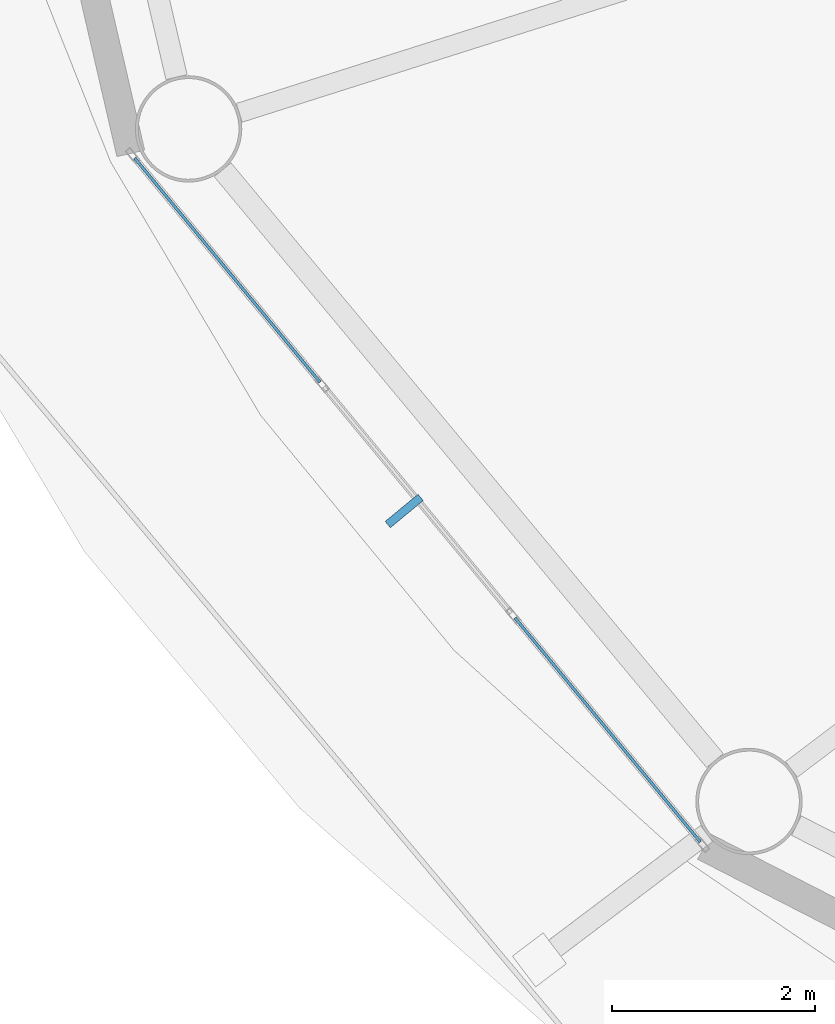
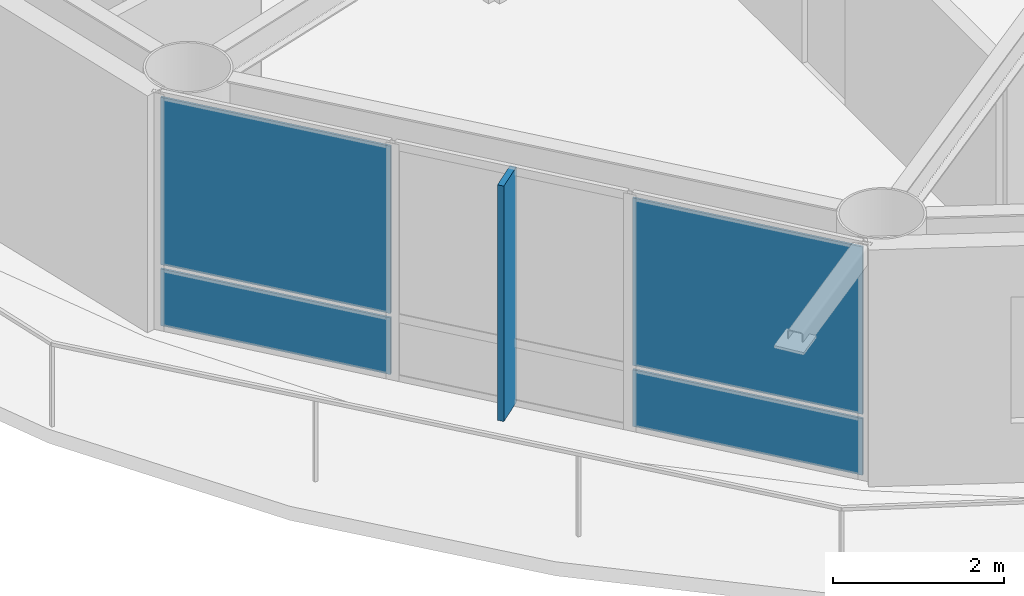
# One storey, part 17 of 28: 5 plates, 1 element without a shape of its own.
"""IFC4 building model written with IfcOpenShell, lengths in metres."""

from ifc_helpers import new_model, si_unit, direction, frame, origin, origin_2d, place, context, subcontext, project, spatial, rectangle, extrude, material, layer, layer_set, type_object, element, aggregate, save


model = new_model("IFC4")

# Units and contexts
model_context = context("Model", 3, precision=1e-05, world=origin(), true_north=direction((0.0, 1.0)))
body_context = subcontext(model_context, "Body", "Model", "MODEL_VIEW")
ifc_project = project(units=[si_unit("LENGTHUNIT", "METRE"), si_unit("AREAUNIT", "SQUARE_METRE"), si_unit("VOLUMEUNIT", "CUBIC_METRE"), si_unit("PLANEANGLEUNIT", "RADIAN"), si_unit("MASSUNIT", "GRAM", prefix="KILO")], contexts=[model_context])

# Site, building, storey
site_placement = place(None, origin())
site = spatial("IfcSite", under=ifc_project, at=site_placement, CompositionType="ELEMENT")
building_placement = place(site_placement, origin())
building = spatial("IfcBuilding", under=site, at=building_placement, Name="Sarneth Arch Tower", CompositionType="ELEMENT")
storey_placement = place(building_placement, frame((0.0, 0.0, 154.199951171875)))
storey = spatial("IfcBuildingStorey", under=building, at=storey_placement, Name="L38", CompositionType="ELEMENT", Elevation=154.199951171875)

# Curtain wall, plates
ifc_material_1 = material(Name="Anodised aluminium Type AA25 and solar-control low-e laminated IGU", Category="aluminium")
ifc_layer_1 = layer(ifc_material_1, 0.169921875)
ifc_layer_set_1 = layer_set([ifc_layer_1], Name="Anodised aluminium Type AA25 and solar-control low-e laminated IGU")
curtain_wall_type = type_object("IfcCurtainWallType", Name="CW-RES-MID", PredefinedType="NOTDEFINED", material=ifc_layer_set_1)
curtain_wall_placement = place(storey_placement, origin())
curtain_wall = element("IfcCurtainWall", 1, at=curtain_wall_placement, inside=storey, type_object=curtain_wall_type, Name="L38 Unitised curtain wall facet 10", PredefinedType="NOTDEFINED")
ifc_material_2 = material(Name="Solar-control low-e laminated IGU", Category="glass")
ifc_layer_2 = layer(ifc_material_2, 0.028076171875)
ifc_layer_set_2 = layer_set([ifc_layer_2], Name="Solar-control low-e laminated IGU")
plate_type_1 = type_object("IfcPlateType", Name="CW-PANEL", PredefinedType="CURTAIN_PANEL", material=ifc_layer_set_2)
plate_1_placement = place(storey_placement, frame((23.719970703125, 32.78173828125, 0.06005859375), z_axis=(0.0, 0.0, 1.0), x_axis=(0.637330298558, -0.770590741276, 0.0)))
plate_1 = element("IfcPlate", 2, at=plate_1_placement, type_object=plate_type_1, Name="Curtain wall glazed vision pane CW-L38-F10/P00-00", PredefinedType="CURTAIN_PANEL", context=body_context, shape_type="SweptSolid", body=[
    extrude(rectangle(XDim=2.8681640625, YDim=0.028076171875, at=origin_2d()), origin(), (0.0, 0.0, 1.0), 0.81005859375),
])
plate_2_placement = place(storey_placement, frame((23.719970703125, 32.78173828125, 0.93017578125), z_axis=(0.0, 0.0, 1.0), x_axis=(0.637330298558, -0.770590741276, 0.0)))
plate_2 = element("IfcPlate", 3, at=plate_2_placement, type_object=plate_type_1, Name="Curtain wall glazed vision pane CW-L38-F10/P00-01", PredefinedType="CURTAIN_PANEL", context=body_context, shape_type="SweptSolid", body=[
    extrude(rectangle(XDim=2.8681640625, YDim=0.028076171875, at=origin_2d()), origin(), (0.0, 0.0, 1.0), 2.389892578125),
])
plate_3_placement = place(storey_placement, frame((27.4716796875, 28.24560546875, 0.06005859375), z_axis=(0.0, 0.0, 1.0), x_axis=(0.637330298558, -0.770590741276, 0.0)))
plate_3 = element("IfcPlate", 4, at=plate_3_placement, type_object=plate_type_1, Name="Curtain wall glazed vision pane CW-L38-F10/P02-00", PredefinedType="CURTAIN_PANEL", context=body_context, shape_type="SweptSolid", body=[
    extrude(rectangle(XDim=2.8681640625, YDim=0.028076171875, at=origin_2d()), origin(), (0.0, 0.0, 1.0), 0.81005859375),
])
plate_4_placement = place(storey_placement, frame((27.4716796875, 28.24560546875, 0.93017578125), z_axis=(0.0, 0.0, 1.0), x_axis=(0.637330298558, -0.770590741276, 0.0)))
plate_4 = element("IfcPlate", 5, at=plate_4_placement, type_object=plate_type_1, Name="Curtain wall glazed vision pane CW-L38-F10/P02-01", PredefinedType="CURTAIN_PANEL", context=body_context, shape_type="SweptSolid", body=[
    extrude(rectangle(XDim=2.8681640625, YDim=0.028076171875, at=origin_2d()), origin(), (0.0, 0.0, 1.0), 2.389892578125),
])
aggregate(curtain_wall, [plate_1, plate_2, plate_3, plate_4])

# Plate
ifc_material_3 = material(Name="Extruded glazed terracotta baguette fin on Aluminium 6063-T6 carrier", Category="masonry")
ifc_layer_3 = layer(ifc_material_3, 0.080078125)
ifc_layer_set_3 = layer_set([ifc_layer_3], Name="Extruded glazed terracotta baguette fin on Aluminium 6063-T6 carrier")
plate_type_2 = type_object("IfcPlateType", Name="SHADE-TERRA-FIN", PredefinedType="SHEET", material=ifc_layer_set_3)
plate_5_placement = place(storey_placement, frame((25.46484375, 30.4052734375, 0.009765625), z_axis=(0.0, 0.0, 1.0), x_axis=(-0.770624482513, -0.637289500111, 0.0)))
element("IfcPlate", 6, at=plate_5_placement, inside=storey, type_object=plate_type_2, Name="L38 Terracotta vertical shading fin 10", PredefinedType="SHEET", context=body_context, shape_type="SweptSolid", body=[
    extrude(rectangle(XDim=0.419921875, YDim=0.080078125, at=origin_2d()), origin(), (0.0, 0.0, 1.0), 3.360107421875),
])

save(model, "model.ifc")
